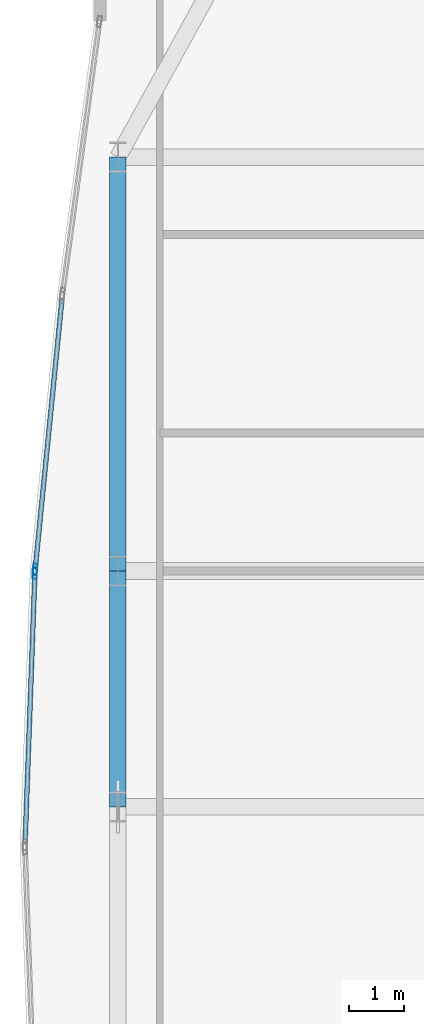
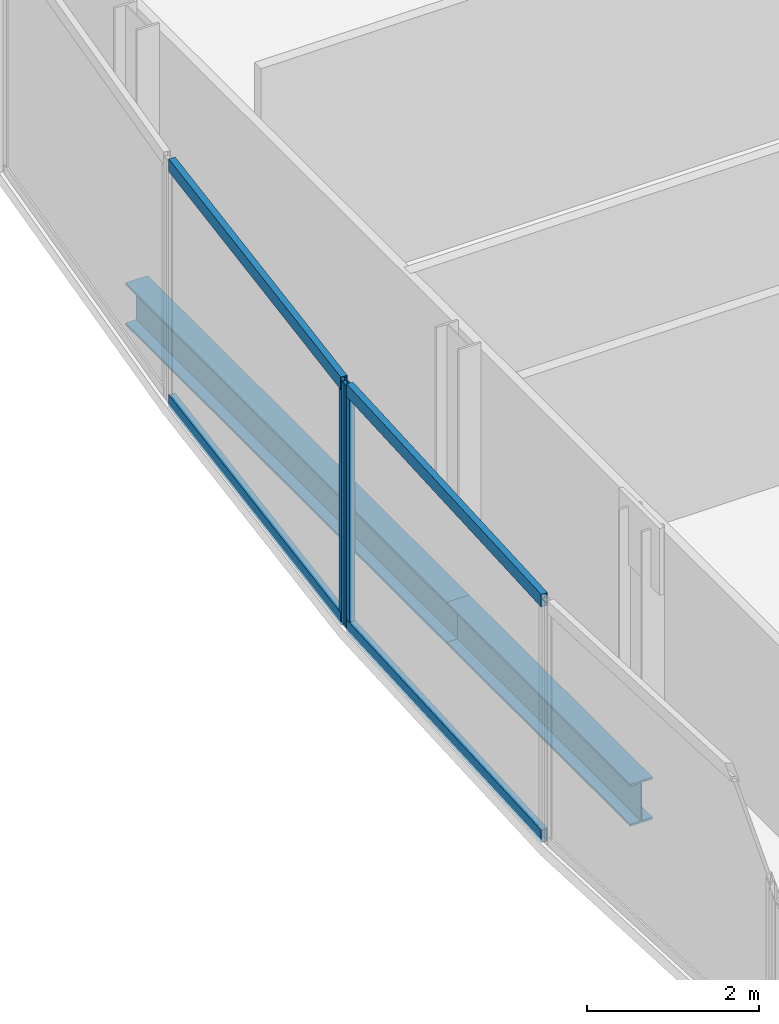
# One storey, part 11 of 32: 6 members, 2 beams, 2 elements without a shape of their own.
"""IFC4 building model written with IfcOpenShell, lengths in metres."""

from ifc_helpers import new_model, si_unit, direction, frame, origin, origin_2d, place, context, subcontext, project, spatial, hollow_rectangle, i_section, extrude, material, material_profile, profile_set, type_object, element, aggregate, save


model = new_model("IFC4")

# Units and contexts
model_context = context("Model", 3, precision=1e-05, world=origin(), true_north=direction((0.0, 1.0)))
body_context = subcontext(model_context, "Body", "Model", "MODEL_VIEW")
ifc_project = project(units=[si_unit("LENGTHUNIT", "METRE"), si_unit("AREAUNIT", "SQUARE_METRE"), si_unit("VOLUMEUNIT", "CUBIC_METRE"), si_unit("PLANEANGLEUNIT", "RADIAN"), si_unit("MASSUNIT", "GRAM", prefix="KILO")], contexts=[model_context])

# Site, building, storey
site_placement = place(None, origin())
site = spatial("IfcSite", under=ifc_project, at=site_placement, CompositionType="ELEMENT")
building_placement = place(site_placement, origin())
building = spatial("IfcBuilding", under=site, at=building_placement, Name="Khoronbel Lancet Exchange", CompositionType="ELEMENT")
storey_placement = place(building_placement, frame((0.0, 0.0, 125.39990234375)))
storey = spatial("IfcBuildingStorey", under=building, at=storey_placement, Name="L30", CompositionType="ELEMENT", Elevation=125.39990234375)

# Beams
ifc_material_1 = material(Name="Steel S355", Category="steel")
ifc_material_profile_1 = material_profile(ifc_material_1, i_section(OverallWidth=0.300048828125, OverallDepth=0.60009765625, WebThickness=0.015380859375, FlangeThickness=0.030029296875, at=origin_2d()), Name="HEB 600")
ifc_profile_set_1 = profile_set([ifc_material_profile_1], Name="Steel S355")
beam_type = type_object("IfcBeamType", Name="BM-BSP2", PredefinedType="SPANDREL", material=ifc_profile_set_1)
beam_1_placement = place(storey_placement, frame((3.27001953125, 43.199951171875, -0.4599609375), z_axis=(0.0, -1.0, 0.0), x_axis=(1.0, 0.0, 0.0)))
element("IfcBeam", 1, at=beam_1_placement, inside=storey, type_object=beam_type, Name="Level L30 perimeter spandrel beam SP17", PredefinedType="SPANDREL", context=body_context, shape_type="SweptSolid", body=[
    extrude(i_section(OverallWidth=0.300048828125, OverallDepth=0.60009765625, WebThickness=0.015380859375, FlangeThickness=0.030029296875, at=origin_2d()), origin(), (0.0, 0.0, 1.0), 7.5),
])
beam_2_placement = place(storey_placement, frame((3.27001953125, 35.699951171875, -0.4599609375), z_axis=(0.0, -1.0, 0.0), x_axis=(1.0, 0.0, 0.0)))
element("IfcBeam", 2, at=beam_2_placement, inside=storey, type_object=beam_type, Name="Level L30 perimeter spandrel beam SP18", PredefinedType="SPANDREL", context=body_context, shape_type="SweptSolid", body=[
    extrude(i_section(OverallWidth=0.300048828125, OverallDepth=0.60009765625, WebThickness=0.015380859375, FlangeThickness=0.030029296875, at=origin_2d()), origin(), (0.0, 0.0, 1.0), 4.27490234375),
])

# Curtain wall, member
ifc_material_2 = material(Name="Low-E Solar Control Insulating Glass", Category="glass")
curtain_wall_type = type_object("IfcCurtainWallType", Name="CW-4", PredefinedType="NOTDEFINED", material=ifc_material_2)
curtain_wall_1_placement = place(storey_placement, origin())
curtain_wall_1 = element("IfcCurtainWall", 3, at=curtain_wall_1_placement, inside=storey, type_object=curtain_wall_type, Name="Unitised curtain wall CW-L30-E07", PredefinedType="NOTDEFINED")
ifc_material_3 = material(Name="Bronze-Anodised Aluminium 6063-T6", Category="aluminium")
ifc_material_profile_2 = material_profile(ifc_material_3, hollow_rectangle(XDim=0.074951171875, YDim=0.199951171875, WallThickness=0.0048828125, at=origin_2d()), Name="ALU MULLION 75x200")
ifc_profile_set_2 = profile_set([ifc_material_profile_2], Name="Bronze-Anodised Aluminium 6063-T6")
member_type_1 = type_object("IfcMemberType", Name="MEM-CWM2", PredefinedType="MULLION", material=ifc_profile_set_2)
member_1_placement = place(storey_placement, frame((1.7646484375, 35.656494140625, 0.0), z_axis=(0.0, 0.0, 1.0), x_axis=(-0.999341649928, 0.036280390298, 0.0)))
member_1 = element("IfcMember", 4, at=member_1_placement, type_object=member_type_1, Name="CW4 mullion 2", PredefinedType="MULLION", context=body_context, shape_type="SweptSolid", body=[
    extrude(hollow_rectangle(XDim=0.074951171875, YDim=0.199951171875, WallThickness=0.0048828125, at=origin_2d()), origin(), (0.0, 0.0, 1.0), 3.440185546875),
])

curtain_wall_2_placement = place(storey_placement, origin())
curtain_wall_2 = element("IfcCurtainWall", 5, at=curtain_wall_2_placement, inside=storey, type_object=curtain_wall_type, Name="Unitised curtain wall CW-L30-E08", PredefinedType="NOTDEFINED")
member_2_placement = place(storey_placement, frame((1.769775390625, 35.731201171875, 0.0), z_axis=(0.0, 0.0, 1.0), x_axis=(-0.99511302808, 0.098742398922, 0.0)))
member_2 = element("IfcMember", 6, at=member_2_placement, type_object=member_type_1, Name="CW4 mullion 1", PredefinedType="MULLION", context=body_context, shape_type="SweptSolid", body=[
    extrude(hollow_rectangle(XDim=0.074951171875, YDim=0.199951171875, WallThickness=0.0048828125, at=origin_2d()), origin(), (0.0, 0.0, 1.0), 3.440185546875),
])

# Member
ifc_material_profile_3 = material_profile(ifc_material_3, hollow_rectangle(XDim=0.0849609375, YDim=0.179931640625, WallThickness=0.0048828125, at=origin_2d()), Name="ALU TRANSOM 85x180")
ifc_profile_set_3 = profile_set([ifc_material_profile_3], Name="Bronze-Anodised Aluminium 6063-T6")
member_type_2 = type_object("IfcMemberType", Name="MEM-CWT1", PredefinedType="USERDEFINED", material=ifc_profile_set_3)
member_3_placement = place(storey_placement, frame((1.58740234375, 30.77490234375, 0.04248046875), z_axis=(0.036264623758, 0.999342222196, 0.0), x_axis=(-0.999342222196, 0.036264623758, 0.0)))
member_3 = element("IfcMember", 7, at=member_3_placement, type_object=member_type_2, Name="CW4 transom 1.1", ObjectType="TRANSOM", PredefinedType="USERDEFINED", context=body_context, shape_type="SweptSolid", body=[
    extrude(hollow_rectangle(XDim=0.0849609375, YDim=0.179931640625, WallThickness=0.0048828125, at=origin_2d()), origin(), (0.0, 0.0, 1.0), 4.84716796875),
])

member_4_placement = place(storey_placement, frame((1.58740234375, 30.77490234375, 3.397705078125), z_axis=(0.036264623758, 0.999342222196, 0.0), x_axis=(-0.999342222196, 0.036264623758, 0.0)))
member_4 = element("IfcMember", 8, at=member_4_placement, type_object=member_type_2, Name="CW4 transom 1.2", ObjectType="TRANSOM", PredefinedType="USERDEFINED", context=body_context, shape_type="SweptSolid", body=[
    extrude(hollow_rectangle(XDim=0.0849609375, YDim=0.179931640625, WallThickness=0.0048828125, at=origin_2d()), origin(), (0.0, 0.0, 1.0), 4.84716796875),
])

aggregate(curtain_wall_1, [member_1, member_3, member_4])

member_5_placement = place(storey_placement, frame((1.7734375, 35.7685546875, 0.04248046875), z_axis=(0.098759163124, 0.995111364471, 0.0), x_axis=(-0.995111364471, 0.098759163124, 0.0)))
member_5 = element("IfcMember", 9, at=member_5_placement, type_object=member_type_2, Name="CW4 transom 1.1", ObjectType="TRANSOM", PredefinedType="USERDEFINED", context=body_context, shape_type="SweptSolid", body=[
    extrude(hollow_rectangle(XDim=0.0849609375, YDim=0.179931640625, WallThickness=0.0048828125, at=origin_2d()), origin(), (0.0, 0.0, 1.0), 4.8701171875),
])

member_6_placement = place(storey_placement, frame((1.7734375, 35.7685546875, 3.397705078125), z_axis=(0.098759163124, 0.995111364471, 0.0), x_axis=(-0.995111364471, 0.098759163124, 0.0)))
member_6 = element("IfcMember", 10, at=member_6_placement, type_object=member_type_2, Name="CW4 transom 1.2", ObjectType="TRANSOM", PredefinedType="USERDEFINED", context=body_context, shape_type="SweptSolid", body=[
    extrude(hollow_rectangle(XDim=0.0849609375, YDim=0.179931640625, WallThickness=0.0048828125, at=origin_2d()), origin(), (0.0, 0.0, 1.0), 4.8701171875),
])

aggregate(curtain_wall_2, [member_2, member_5, member_6])

save(model, "model.ifc")
